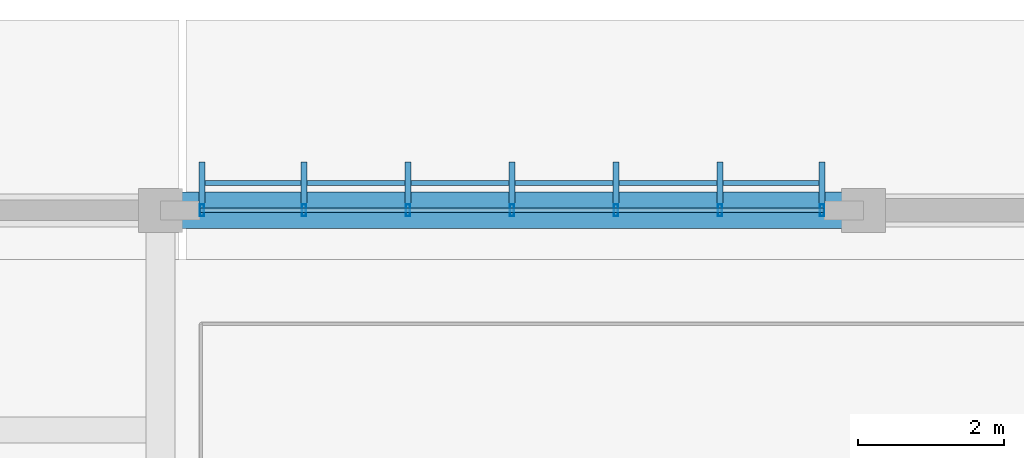
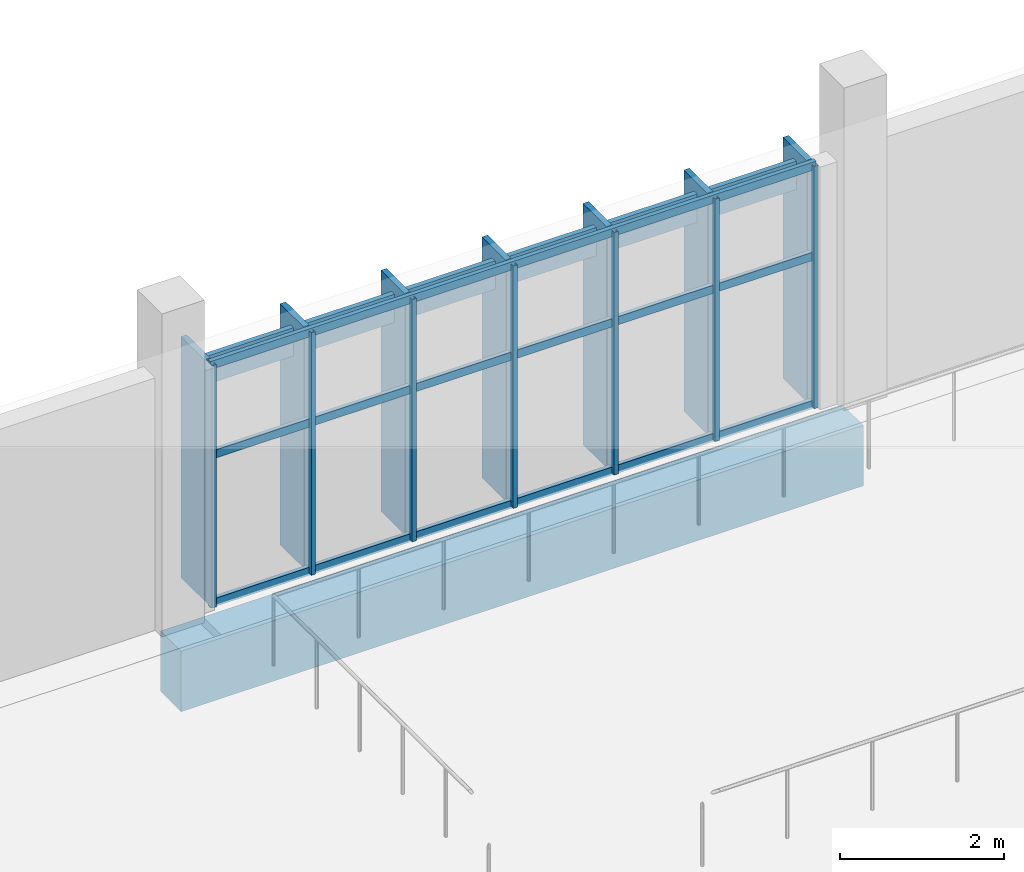
# One storey, part 102 of 151: 18 members, 1 beam, 1 element without a shape of its own.
"""IFC4 building model written with IfcOpenShell, lengths in metres."""

from ifc_helpers import new_model, si_unit, direction, frame, origin, origin_2d, place, context, subcontext, project, spatial, rectangle, hollow_rectangle, extrude, material, material_profile, profile_set, type_object, element, aggregate, save


model = new_model("IFC4")

# Units and contexts
model_context = context("Model", 3, precision=1e-05, world=origin(), true_north=direction((0.0, 1.0)))
body_context = subcontext(model_context, "Body", "Model", "MODEL_VIEW")
ifc_project = project(units=[si_unit("LENGTHUNIT", "METRE"), si_unit("AREAUNIT", "SQUARE_METRE"), si_unit("VOLUMEUNIT", "CUBIC_METRE"), si_unit("PLANEANGLEUNIT", "RADIAN"), si_unit("MASSUNIT", "GRAM", prefix="KILO")], contexts=[model_context])

# Site, building, storey
site_placement = place(None, origin())
site = spatial("IfcSite", under=ifc_project, at=site_placement, CompositionType="ELEMENT")
building_placement = place(site_placement, origin())
building = spatial("IfcBuilding", under=site, at=building_placement, Name="Chiffa Square Polytechnic", CompositionType="ELEMENT")
storey_placement = place(building_placement, origin())
storey = spatial("IfcBuildingStorey", under=building, at=storey_placement, Name="L00", CompositionType="ELEMENT", Elevation=0.0)

# Beam
ifc_material_1 = material(Name="Concrete C40/50", Category="concrete")
ifc_material_profile_1 = material_profile(ifc_material_1, rectangle(XDim=0.5, YDim=0.89990234375, at=origin_2d()), Name="RC 500x900")
ifc_profile_set_1 = profile_set([ifc_material_profile_1], Name="Concrete C40/50")
beam_type = type_object("IfcBeamType", Name="BM-RC-500X900", PredefinedType="BEAM", material=ifc_profile_set_1)
beam_placement = place(storey_placement, frame((111.60009765625, 130.800048828125, -0.800048828125), z_axis=(1.0, 0.0, 0.0), x_axis=(0.0, 1.0, 0.0)))
element("IfcBeam", 1, at=beam_placement, inside=storey, type_object=beam_type, Name="Primary floor girder BM-V5-L00-X-1116-1308", PredefinedType="BEAM", context=body_context, shape_type="SweptSolid", body=[
    extrude(rectangle(XDim=0.5, YDim=0.89990234375, at=origin_2d()), origin(), (0.0, 0.0, 1.0), 9.599853515625),
])

# Curtain wall, members
ifc_material_2 = material(Name="Aluminium EN AW-6060 T66 and glulam shading", Category="wood")
curtain_wall_type = type_object("IfcCurtainWallType", Name="CW-VERT-450X440", PredefinedType="USERDEFINED", material=ifc_material_2)
curtain_wall_placement = place(storey_placement, origin())
curtain_wall = element("IfcCurtainWall", 2, at=curtain_wall_placement, inside=storey, type_object=curtain_wall_type, Name="Curtain wall CW-V5-L00-192", ObjectType="CURTAIN WALL", PredefinedType="USERDEFINED")
ifc_material_3 = material(Name="Aluminium EN AW-6060 T66", Category="aluminium")
ifc_material_profile_2 = material_profile(ifc_material_3, hollow_rectangle(XDim=0.06005859375, YDim=0.159912109375, WallThickness=0.00390625, at=origin_2d()), Name="ALU 60x160x4")
ifc_profile_set_2 = profile_set([ifc_material_profile_2], Name="Aluminium EN AW-6060 T66")
member_type_1 = type_object("IfcMemberType", Name="CWM-ALU-65X150", PredefinedType="MULLION", material=ifc_profile_set_2)
member_1_placement = place(storey_placement, frame((120.635009765625, 130.800048828125, 0.0), z_axis=(0.0, 0.0, 1.0), x_axis=(1.0, 0.0, 0.0)))
member_1 = element("IfcMember", 3, at=member_1_placement, type_object=member_type_1, Name="Curtain wall mullion CW-V5-L00-192-M00", PredefinedType="MULLION", context=body_context, shape_type="SweptSolid", body=[
    extrude(hollow_rectangle(XDim=0.06005859375, YDim=0.159912109375, WallThickness=0.00390625, at=origin_2d()), origin(), (0.0, 0.0, 1.0), 3.60498046875),
])
member_2_placement = place(storey_placement, frame((119.239990234375, 130.800048828125, 0.0), z_axis=(0.0, 0.0, 1.0), x_axis=(1.0, 0.0, 0.0)))
member_2 = element("IfcMember", 4, at=member_2_placement, type_object=member_type_1, Name="Curtain wall mullion CW-V5-L00-192-M01", PredefinedType="MULLION", context=body_context, shape_type="SweptSolid", body=[
    extrude(hollow_rectangle(XDim=0.06005859375, YDim=0.159912109375, WallThickness=0.00390625, at=origin_2d()), origin(), (0.0, 0.0, 1.0), 3.60498046875),
])
member_3_placement = place(storey_placement, frame((117.820068359375, 130.800048828125, 0.0), z_axis=(0.0, 0.0, 1.0), x_axis=(1.0, 0.0, 0.0)))
member_3 = element("IfcMember", 5, at=member_3_placement, type_object=member_type_1, Name="Curtain wall mullion CW-V5-L00-192-M02", PredefinedType="MULLION", context=body_context, shape_type="SweptSolid", body=[
    extrude(hollow_rectangle(XDim=0.06005859375, YDim=0.159912109375, WallThickness=0.00390625, at=origin_2d()), origin(), (0.0, 0.0, 1.0), 3.60498046875),
])
member_4_placement = place(storey_placement, frame((116.39990234375, 130.800048828125, 0.0), z_axis=(0.0, 0.0, 1.0), x_axis=(1.0, 0.0, 0.0)))
member_4 = element("IfcMember", 6, at=member_4_placement, type_object=member_type_1, Name="Curtain wall mullion CW-V5-L00-192-M03", PredefinedType="MULLION", context=body_context, shape_type="SweptSolid", body=[
    extrude(hollow_rectangle(XDim=0.06005859375, YDim=0.159912109375, WallThickness=0.00390625, at=origin_2d()), origin(), (0.0, 0.0, 1.0), 3.60498046875),
])
member_5_placement = place(storey_placement, frame((114.97998046875, 130.800048828125, 0.0), z_axis=(0.0, 0.0, 1.0), x_axis=(1.0, 0.0, 0.0)))
member_5 = element("IfcMember", 7, at=member_5_placement, type_object=member_type_1, Name="Curtain wall mullion CW-V5-L00-192-M04", PredefinedType="MULLION", context=body_context, shape_type="SweptSolid", body=[
    extrude(hollow_rectangle(XDim=0.06005859375, YDim=0.159912109375, WallThickness=0.00390625, at=origin_2d()), origin(), (0.0, 0.0, 1.0), 3.60498046875),
])
member_6_placement = place(storey_placement, frame((113.56005859375, 130.800048828125, 0.0), z_axis=(0.0, 0.0, 1.0), x_axis=(1.0, 0.0, 0.0)))
member_6 = element("IfcMember", 8, at=member_6_placement, type_object=member_type_1, Name="Curtain wall mullion CW-V5-L00-192-M05", PredefinedType="MULLION", context=body_context, shape_type="SweptSolid", body=[
    extrude(hollow_rectangle(XDim=0.06005859375, YDim=0.159912109375, WallThickness=0.00390625, at=origin_2d()), origin(), (0.0, 0.0, 1.0), 3.60498046875),
])
member_7_placement = place(storey_placement, frame((112.1650390625, 130.800048828125, 0.0), z_axis=(0.0, 0.0, 1.0), x_axis=(1.0, 0.0, 0.0)))
member_7 = element("IfcMember", 9, at=member_7_placement, type_object=member_type_1, Name="Curtain wall mullion CW-V5-L00-192-M06", PredefinedType="MULLION", context=body_context, shape_type="SweptSolid", body=[
    extrude(hollow_rectangle(XDim=0.06005859375, YDim=0.159912109375, WallThickness=0.00390625, at=origin_2d()), origin(), (0.0, 0.0, 1.0), 3.60498046875),
])
ifc_material_4 = material(Name="Glulam GL28h", Category="wood")
ifc_material_profile_3 = material_profile(ifc_material_4, rectangle(XDim=0.080078125, YDim=0.580078125, at=origin_2d()), Name="GL28h 80x580")
ifc_profile_set_3 = profile_set([ifc_material_profile_3], Name="Glulam GL28h")
member_type_2 = type_object("IfcMemberType", Name="CWM-GL-80X580", PredefinedType="MULLION", material=ifc_profile_set_3)
member_8_placement = place(storey_placement, frame((120.635009765625, 131.172119140625, 0.010009765625), z_axis=(0.0, 0.0, 1.0), x_axis=(-1.0, 0.0, 0.0)))
member_8 = element("IfcMember", 10, at=member_8_placement, type_object=member_type_2, Name="Exterior glulam solar fin CW-V5-L00-192-FN00", PredefinedType="MULLION", context=body_context, shape_type="SweptSolid", body=[
    extrude(rectangle(XDim=0.080078125, YDim=0.580078125, at=origin_2d()), origin(), (0.0, 0.0, 1.0), 3.5849609375),
])
member_9_placement = place(storey_placement, frame((119.239990234375, 131.172119140625, 0.010009765625), z_axis=(0.0, 0.0, 1.0), x_axis=(-1.0, 0.0, 0.0)))
member_9 = element("IfcMember", 11, at=member_9_placement, type_object=member_type_2, Name="Exterior glulam solar fin CW-V5-L00-192-FN01", PredefinedType="MULLION", context=body_context, shape_type="SweptSolid", body=[
    extrude(rectangle(XDim=0.080078125, YDim=0.580078125, at=origin_2d()), origin(), (0.0, 0.0, 1.0), 3.5849609375),
])
member_10_placement = place(storey_placement, frame((117.820068359375, 131.172119140625, 0.010009765625), z_axis=(0.0, 0.0, 1.0), x_axis=(-1.0, 0.0, 0.0)))
member_10 = element("IfcMember", 12, at=member_10_placement, type_object=member_type_2, Name="Exterior glulam solar fin CW-V5-L00-192-FN02", PredefinedType="MULLION", context=body_context, shape_type="SweptSolid", body=[
    extrude(rectangle(XDim=0.080078125, YDim=0.580078125, at=origin_2d()), origin(), (0.0, 0.0, 1.0), 3.5849609375),
])
member_11_placement = place(storey_placement, frame((116.39990234375, 131.172119140625, 0.010009765625), z_axis=(0.0, 0.0, 1.0), x_axis=(-1.0, 0.0, 0.0)))
member_11 = element("IfcMember", 13, at=member_11_placement, type_object=member_type_2, Name="Exterior glulam solar fin CW-V5-L00-192-FN03", PredefinedType="MULLION", context=body_context, shape_type="SweptSolid", body=[
    extrude(rectangle(XDim=0.080078125, YDim=0.580078125, at=origin_2d()), origin(), (0.0, 0.0, 1.0), 3.5849609375),
])
member_12_placement = place(storey_placement, frame((114.97998046875, 131.172119140625, 0.010009765625), z_axis=(0.0, 0.0, 1.0), x_axis=(-1.0, 0.0, 0.0)))
member_12 = element("IfcMember", 14, at=member_12_placement, type_object=member_type_2, Name="Exterior glulam solar fin CW-V5-L00-192-FN04", PredefinedType="MULLION", context=body_context, shape_type="SweptSolid", body=[
    extrude(rectangle(XDim=0.080078125, YDim=0.580078125, at=origin_2d()), origin(), (0.0, 0.0, 1.0), 3.5849609375),
])
member_13_placement = place(storey_placement, frame((113.56005859375, 131.172119140625, 0.010009765625), z_axis=(0.0, 0.0, 1.0), x_axis=(-1.0, 0.0, 0.0)))
member_13 = element("IfcMember", 15, at=member_13_placement, type_object=member_type_2, Name="Exterior glulam solar fin CW-V5-L00-192-FN05", PredefinedType="MULLION", context=body_context, shape_type="SweptSolid", body=[
    extrude(rectangle(XDim=0.080078125, YDim=0.580078125, at=origin_2d()), origin(), (0.0, 0.0, 1.0), 3.5849609375),
])
member_14_placement = place(storey_placement, frame((112.1650390625, 131.172119140625, 0.010009765625), z_axis=(0.0, 0.0, 1.0), x_axis=(-1.0, 0.0, 0.0)))
member_14 = element("IfcMember", 16, at=member_14_placement, type_object=member_type_2, Name="Exterior glulam solar fin CW-V5-L00-192-FN06", PredefinedType="MULLION", context=body_context, shape_type="SweptSolid", body=[
    extrude(rectangle(XDim=0.080078125, YDim=0.580078125, at=origin_2d()), origin(), (0.0, 0.0, 1.0), 3.5849609375),
])
ifc_material_profile_4 = material_profile(ifc_material_3, hollow_rectangle(XDim=0.06005859375, YDim=0.1201171875, WallThickness=0.00390625, at=origin_2d()), Name="ALU 60x120x4")
ifc_profile_set_4 = profile_set([ifc_material_profile_4], Name="Aluminium EN AW-6060 T66")
member_type_3 = type_object("IfcMemberType", Name="CWT-ALU-65X120", PredefinedType="USERDEFINED", material=ifc_profile_set_4)
member_15_placement = place(storey_placement, frame((120.662109375, 130.800048828125, 0.030029296875), z_axis=(-1.0, 0.0, 0.0), x_axis=(0.0, -1.0, 0.0)))
member_15 = element("IfcMember", 17, at=member_15_placement, type_object=member_type_3, Name="Curtain wall transom CW-V5-L00-192-T01", ObjectType="TRANSOM", PredefinedType="USERDEFINED", context=body_context, shape_type="SweptSolid", body=[
    extrude(hollow_rectangle(XDim=0.06005859375, YDim=0.1201171875, WallThickness=0.00390625, at=origin_2d()), origin(), (0.0, 0.0, 1.0), 8.524169921875),
])
member_16_placement = place(storey_placement, frame((120.662109375, 130.800048828125, 2.235107421875), z_axis=(-1.0, 0.0, 0.0), x_axis=(0.0, -1.0, 0.0)))
member_16 = element("IfcMember", 18, at=member_16_placement, type_object=member_type_3, Name="Curtain wall transom CW-V5-L00-192-T02", ObjectType="TRANSOM", PredefinedType="USERDEFINED", context=body_context, shape_type="SweptSolid", body=[
    extrude(hollow_rectangle(XDim=0.06005859375, YDim=0.1201171875, WallThickness=0.00390625, at=origin_2d()), origin(), (0.0, 0.0, 1.0), 8.524169921875),
])
member_17_placement = place(storey_placement, frame((120.662109375, 130.800048828125, 3.574951171875), z_axis=(-1.0, 0.0, 0.0), x_axis=(0.0, -1.0, 0.0)))
member_17 = element("IfcMember", 19, at=member_17_placement, type_object=member_type_3, Name="Curtain wall transom CW-V5-L00-192-T03", ObjectType="TRANSOM", PredefinedType="USERDEFINED", context=body_context, shape_type="SweptSolid", body=[
    extrude(hollow_rectangle(XDim=0.06005859375, YDim=0.1201171875, WallThickness=0.00390625, at=origin_2d()), origin(), (0.0, 0.0, 1.0), 8.524169921875),
])
ifc_material_profile_5 = material_profile(ifc_material_4, rectangle(XDim=0.070068359375, YDim=0.419921875, at=origin_2d()), Name="GL28h 70x420")
ifc_profile_set_5 = profile_set([ifc_material_profile_5], Name="Glulam GL28h")
member_type_4 = type_object("IfcMemberType", Name="CWT-GL-70X420", PredefinedType="USERDEFINED", material=ifc_profile_set_5)
member_18_placement = place(storey_placement, frame((120.635009765625, 131.172119140625, 3.22509765625), z_axis=(-1.0, 0.0, 0.0), x_axis=(0.0, -1.0, 0.0)))
member_18 = element("IfcMember", 20, at=member_18_placement, type_object=member_type_4, Name="Exterior glulam brise-soleil CW-V5-L00-192-BS01", ObjectType="TRANSOM", PredefinedType="USERDEFINED", context=body_context, shape_type="SweptSolid", body=[
    extrude(rectangle(XDim=0.070068359375, YDim=0.419921875, at=origin_2d()), origin(), (0.0, 0.0, 1.0), 8.469970703125),
])
aggregate(curtain_wall, [member_1, member_8, member_2, member_9, member_3, member_10, member_4, member_11, member_5, member_12, member_6, member_13, member_7, member_14, member_15, member_16, member_17, member_18])

save(model, "model.ifc")
